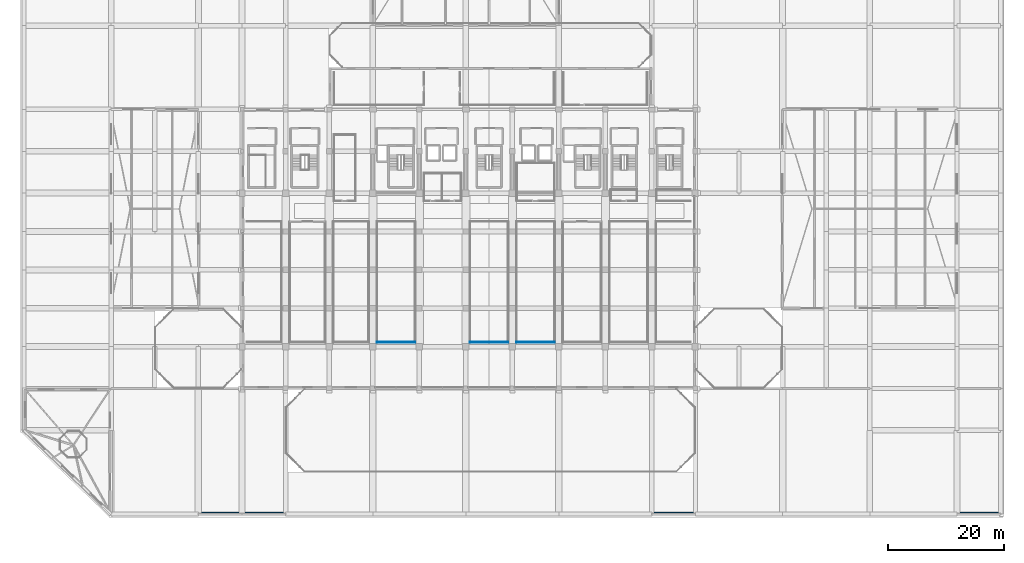
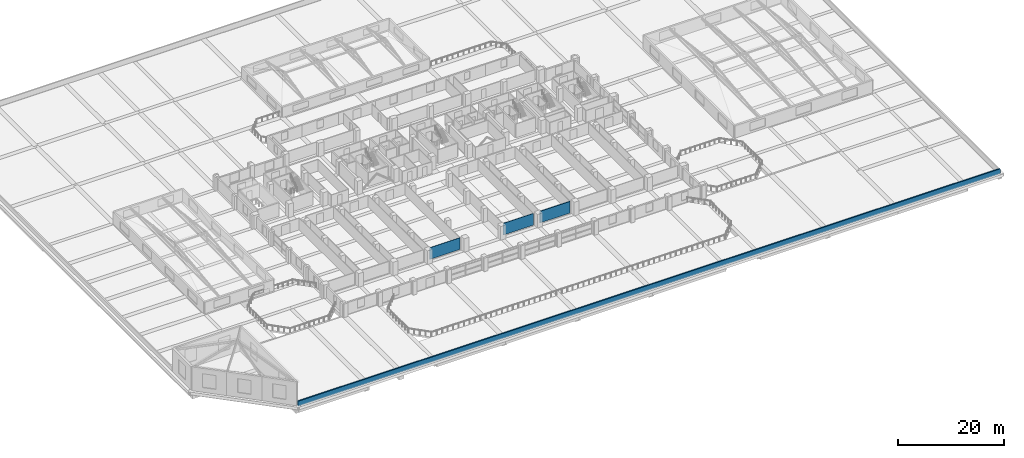
# One storey, part 36 of 49: 4 walls.
"""IFC4 building model written with IfcOpenShell, lengths in metres."""

from ifc_helpers import new_model, si_unit, direction, frame, frame_2d, origin, place, context, subcontext, project, spatial, rectangle, extrude, material, layer, layer_set, type_object, element, save


model = new_model("IFC4")

# Units and contexts
model_context = context("Model", 3, precision=1e-05, world=origin(), true_north=direction((0.0, 1.0)))
body_context = subcontext(model_context, "Body", "Model", "MODEL_VIEW")
ifc_project = project(units=[si_unit("LENGTHUNIT", "METRE"), si_unit("AREAUNIT", "SQUARE_METRE"), si_unit("VOLUMEUNIT", "CUBIC_METRE"), si_unit("PLANEANGLEUNIT", "RADIAN"), si_unit("MASSUNIT", "GRAM", prefix="KILO")], contexts=[model_context])

# Site, building, storey
site_placement = place(None, origin())
site = spatial("IfcSite", under=ifc_project, at=site_placement, CompositionType="ELEMENT")
building_placement = place(site_placement, origin())
building = spatial("IfcBuilding", under=site, at=building_placement, Name="Akrevak Sports Hall", CompositionType="ELEMENT")
storey_placement = place(building_placement, frame((0.0, 0.0, 24.14990234375)))
storey = spatial("IfcBuildingStorey", under=building, at=storey_placement, Name="L04", CompositionType="ELEMENT", Elevation=24.14990234375)

# Walls
ifc_material_1 = material(Name="Limestone Ashlar", Category="stone")
ifc_layer_1 = layer(ifc_material_1, 0.06005859375, Name="Limestone Ashlar")
ifc_material_2 = material(Name="Mineral Wool Thermal Insulation", Category="insulation")
ifc_layer_2 = layer(ifc_material_2, 0.0400390625, Name="Mineral Wool Thermal Insulation")
ifc_material_3 = material(Name="Concrete C40/50", Category="concrete")
ifc_layer_3 = layer(ifc_material_3, 0.179931640625, Name="Concrete C40/50")
ifc_layer_set_1 = layer_set([ifc_layer_1, ifc_layer_2, ifc_layer_3], Name="Limestone Ashlar / Mineral Wool Thermal Insulation / Concrete C40/50")
wall_type_1 = type_object("IfcWallType", Name="ARC-WL-PAR-280", PredefinedType="PARAPET", material=ifc_layer_set_1)
wall_1_placement = place(storey_placement, frame((15.0, 0.139892578125, 0.0), z_axis=(0.0, 0.0, 1.0), x_axis=(1.0, 0.0, 0.0)))
element("IfcWall", 1, at=wall_1_placement, inside=storey, type_object=wall_type_1, Name="Podium Roof Stone Cornice Parapet 1", PredefinedType="PARAPET", context=body_context, shape_type="SweptSolid", body=[
    extrude(rectangle(XDim=153.0, YDim=0.280029296875, at=frame_2d((76.5, 0.0))), origin(), (0.0, 0.0, 1.0), 1.2001953125),
])
ifc_material_4 = material(Name="Lightweight Office Partition", Category="gypsum")
ifc_layer_4 = layer(ifc_material_4, 0.110107421875, Name="Lightweight Office Partition")
ifc_layer_set_2 = layer_set([ifc_layer_4], Name="Lightweight Office Partition")
wall_type_2 = type_object("IfcWallType", Name="ARC-WL-PRT-110", PredefinedType="PARTITIONING", material=ifc_layer_set_2)
wall_2_placement = place(storey_placement, frame((60.699951171875, 29.550048828125, 0.0), z_axis=(0.0, 0.0, 1.0), x_axis=(1.0, 0.0, 0.0)))
element("IfcWall", 2, at=wall_2_placement, inside=storey, type_object=wall_type_2, Name="Interior Partition National Delegates Conference Room L04 (S)", PredefinedType="PARTITIONING", context=body_context, shape_type="SweptSolid", body=[
    extrude(rectangle(XDim=6.60009765625, YDim=0.110107421875, at=frame_2d((3.300048828125, 0.0))), origin(), (0.0, 0.0, 1.0), 2.68017578125),
])
ifc_material_5 = material(Name="Standard Metal Stud Partition", Category="gypsum")
ifc_layer_5 = layer(ifc_material_5, 0.1201171875, Name="Standard Metal Stud Partition")
ifc_layer_set_3 = layer_set([ifc_layer_5], Name="Standard Metal Stud Partition")
wall_type_3 = type_object("IfcWallType", Name="ARC-WL-PRT-120", PredefinedType="PARTITIONING", material=ifc_layer_set_3)
wall_3_placement = place(storey_placement, frame((76.699951171875, 29.550048828125, 0.0), z_axis=(0.0, 0.0, 1.0), x_axis=(1.0, 0.0, 0.0)))
element("IfcWall", 3, at=wall_3_placement, inside=storey, type_object=wall_type_3, Name="Interior Partition Olympic Heritage Exhibition Gallery 1 (S)", PredefinedType="PARTITIONING", context=body_context, shape_type="SweptSolid", body=[
    extrude(rectangle(XDim=6.60009765625, YDim=0.1201171875, at=frame_2d((3.300048828125, 0.0))), origin(), (0.0, 0.0, 1.0), 2.68017578125),
])
ifc_material_6 = material(Name="Acoustic Metal Stud Partition", Category="gypsum")
ifc_layer_6 = layer(ifc_material_6, 0.1298828125, Name="Acoustic Metal Stud Partition")
ifc_layer_set_4 = layer_set([ifc_layer_6], Name="Acoustic Metal Stud Partition")
wall_type_4 = type_object("IfcWallType", Name="ARC-WL-PRT-130", PredefinedType="PARTITIONING", material=ifc_layer_set_4)
wall_4_placement = place(storey_placement, frame((84.699951171875, 29.550048828125, 0.0), z_axis=(0.0, 0.0, 1.0), x_axis=(1.0, 0.0, 0.0)))
element("IfcWall", 4, at=wall_4_placement, inside=storey, type_object=wall_type_4, Name="Interior Partition Olympic Heritage Exhibition Gallery 2 (S)", PredefinedType="PARTITIONING", context=body_context, shape_type="SweptSolid", body=[
    extrude(rectangle(XDim=6.60009765625, YDim=0.1298828125, at=frame_2d((3.300048828125, 0.0))), origin(), (0.0, 0.0, 1.0), 2.68017578125),
])

save(model, "model.ifc")
